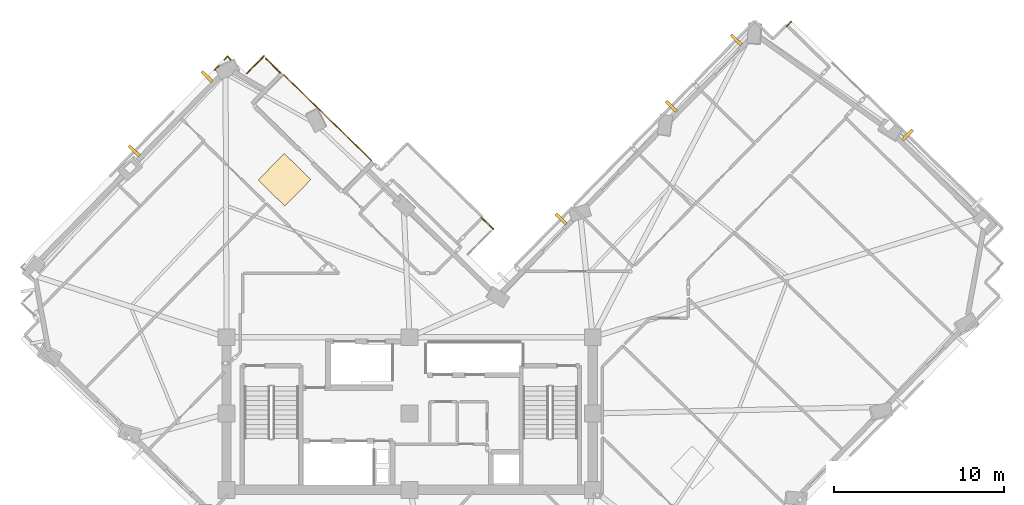
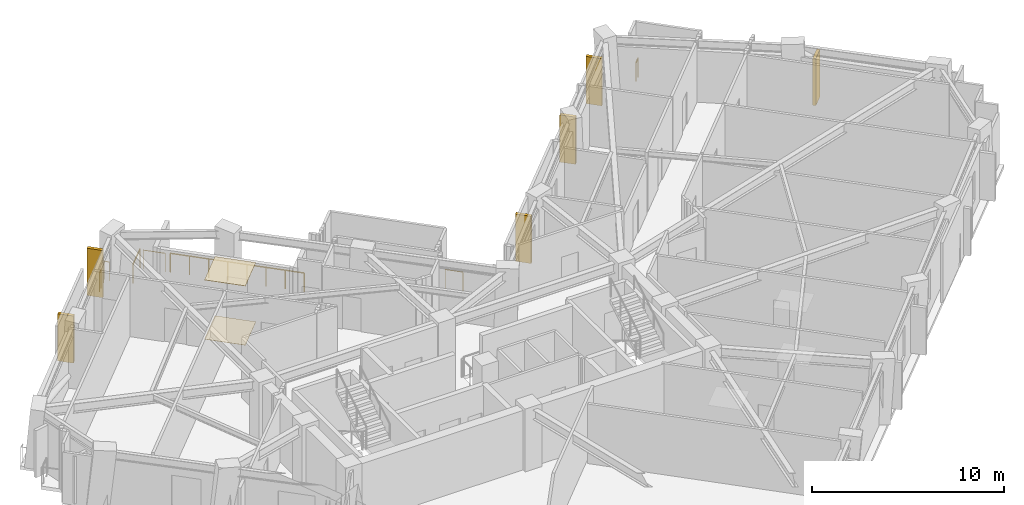
# One storey, part 11 of 12: 7 railings, 6 shading devices, 2 coverings.
"""IFC4 building model written with IfcOpenShell, lengths in metres."""

from ifc_helpers import new_model, si_unit, direction, frame, origin, origin_2d, place, context, subcontext, project, spatial, rectangle, circle, extrude, material, layer, layer_set, type_object, element, save


model = new_model("IFC4")

# Units and contexts
model_context = context("Model", 3, precision=1e-05, world=origin(), true_north=direction((0.0, 1.0)))
body_context = subcontext(model_context, "Body", "Model", "MODEL_VIEW")
ifc_project = project(units=[si_unit("LENGTHUNIT", "METRE"), si_unit("AREAUNIT", "SQUARE_METRE"), si_unit("VOLUMEUNIT", "CUBIC_METRE"), si_unit("PLANEANGLEUNIT", "RADIAN"), si_unit("MASSUNIT", "GRAM", prefix="KILO")], contexts=[model_context])

# Site, building, storey
site_placement = place(None, origin())
site = spatial("IfcSite", under=ifc_project, at=site_placement, CompositionType="ELEMENT")
building_placement = place(site_placement, origin())
building = spatial("IfcBuilding", under=site, at=building_placement, Name="Gaonmaruhae Medical Tower", CompositionType="ELEMENT")
storey_placement = place(building_placement, frame((0.0, 0.0, 219.199951171875)))
storey = spatial("IfcBuildingStorey", under=building, at=storey_placement, Name="L52", CompositionType="ELEMENT", Elevation=219.199951171875)

# Coverings
ifc_material_1 = material(Name="Acoustic mineral ceiling tile", Category="finish")
ifc_layer_1 = layer(ifc_material_1, 0.02490234375)
ifc_layer_set_1 = layer_set([ifc_layer_1], Name="Acoustic mineral ceiling tile")
covering_type_1 = type_object("IfcCoveringType", Name="CLG-01 Antimicrobial Acoustic Mineral Ceiling", PredefinedType="CEILING", material=ifc_layer_set_1)
covering_1_placement = place(storey_placement, frame((17.421630859375, 26.0869140625, 3.755126953125), z_axis=(0.0, 0.0, 1.0), x_axis=(0.699663340513, 0.714472679633, 0.0)))
element("IfcCovering", 1, at=covering_1_placement, inside=storey, type_object=covering_type_1, Name="L52 Clinical Corridor Acoustic Ceiling", PredefinedType="CEILING", context=body_context, shape_type="SweptSolid", body=[
    extrude(rectangle(XDim=2.199951171875, YDim=2.199951171875, at=origin_2d()), origin(), (0.0, 0.0, 1.0), 0.02490234375),
])
ifc_material_2 = material(Name="Seamless clinical vinyl flooring", Category="finish")
ifc_layer_2 = layer(ifc_material_2, 0.014892578125)
ifc_layer_set_2 = layer_set([ifc_layer_2], Name="Seamless clinical vinyl flooring")
covering_type_2 = type_object("IfcCoveringType", Name="FLR-01 Seamless Clinical Antistatic Vinyl Flooring", PredefinedType="FLOORING", material=ifc_layer_set_2)
covering_2_placement = place(storey_placement, frame((17.421630859375, 26.0869140625, 0.00048828125), z_axis=(0.0, 0.0, 1.0), x_axis=(0.699663340513, 0.714472679633, 0.0)))
element("IfcCovering", 2, at=covering_2_placement, inside=storey, type_object=covering_type_2, Name="L52 Clinical Corridor Vinyl Flooring", PredefinedType="FLOORING", context=body_context, shape_type="SweptSolid", body=[
    extrude(rectangle(XDim=2.199951171875, YDim=2.199951171875, at=origin_2d()), origin(), (0.0, 0.0, 1.0), 0.014892578125),
])

# Railings
ifc_material_3 = material(Name="Stainless steel 316L and laminated safety glass", Category="steel")
ifc_layer_3 = layer(ifc_material_3, 0.080078125)
ifc_layer_set_3 = layer_set([ifc_layer_3], Name="Stainless steel 316L and laminated safety glass")
railing_type = type_object("IfcRailingType", Name="GD-120 Outdoor Terrace Safety Glass & Steel Balustrade", PredefinedType="BALUSTRADE", material=ifc_layer_set_3)
railing_1_placement = place(storey_placement, frame((22.543212890625, 27.22998046875, 0.0)))
element("IfcRailing", 3, at=railing_1_placement, inside=storey, type_object=railing_type, Name="L52 Terrace Safety Guard RL-SLB-L52-TER-02", PredefinedType="BALUSTRADE", context=body_context, shape_type="SweptSolid", body=[
    extrude(circle(Radius=0.02392578125, at=origin_2d()), frame((0.0, 0.0, 1.17578125), z_axis=(-0.714476878249, 0.699659053002, 0.0), x_axis=(-0.699659053002, -0.714476878249, 0.0)), (0.0, 0.0, 1.0), 7.2001953125),
    extrude(circle(Radius=0.02099609375, at=origin_2d()), origin(), (0.0, 0.0, 1.0), 1.15185546875),
    extrude(circle(Radius=0.02099609375, at=origin_2d()), frame((-0.73486328125, 0.7197265625, 0.0)), (0.0, 0.0, 1.0), 1.15185546875),
    extrude(circle(Radius=0.02099609375, at=origin_2d()), frame((-1.4697265625, 1.439208984375, 0.0)), (0.0, 0.0, 1.0), 1.15185546875),
    extrude(circle(Radius=0.02099609375, at=origin_2d()), frame((-2.20458984375, 2.158935546875, 0.0)), (0.0, 0.0, 1.0), 1.15185546875),
    extrude(circle(Radius=0.02099609375, at=origin_2d()), frame((-2.939697265625, 2.878662109375, 0.0)), (0.0, 0.0, 1.0), 1.15185546875),
    extrude(circle(Radius=0.02099609375, at=origin_2d()), frame((-3.674560546875, 3.598388671875, 0.0)), (0.0, 0.0, 1.0), 1.15185546875),
    extrude(circle(Radius=0.02099609375, at=origin_2d()), frame((-4.409423828125, 4.31787109375, 0.0)), (0.0, 0.0, 1.0), 1.15185546875),
    extrude(circle(Radius=0.02099609375, at=origin_2d()), frame((-5.144287109375, 5.03759765625, 0.0)), (0.0, 0.0, 1.0), 1.15185546875),
])
railing_2_placement = place(storey_placement, frame((47.038330078125, 35.135498046875, 0.0)))
element("IfcRailing", 4, at=railing_2_placement, inside=storey, type_object=railing_type, Name="L52 Perimeter Slab Edge Safety Balustrade 01", PredefinedType="BALUSTRADE", context=body_context, shape_type="SweptSolid", body=[
    extrude(circle(Radius=0.02392578125, at=origin_2d()), frame((0.0, 0.0, 1.17578125), z_axis=(0.699618190007, 0.71451689148, 0.0), x_axis=(-0.71451689148, 0.699618190007, 0.0)), (0.0, 0.0, 1.0), 0.393310546875),
    extrude(circle(Radius=0.02099609375, at=origin_2d()), origin(), (0.0, 0.0, 1.0), 1.15185546875),
    extrude(circle(Radius=0.02099609375, at=origin_2d()), frame((0.275146484375, 0.281005859375, 0.0)), (0.0, 0.0, 1.0), 1.15185546875),
])
railing_3_placement = place(storey_placement, frame((13.3076171875, 32.56298828125, 0.0)))
element("IfcRailing", 5, at=railing_3_placement, inside=storey, type_object=railing_type, Name="L52 Perimeter Slab Edge Safety Balustrade 12", PredefinedType="BALUSTRADE", context=body_context, shape_type="SweptSolid", body=[
    extrude(circle(Radius=0.02392578125, at=origin_2d()), frame((0.0, 0.0, 1.17578125), z_axis=(0.699494393048, 0.714638086093, 0.0), x_axis=(-0.714638086093, 0.699494393048, 0.0)), (0.0, 0.0, 1.0), 0.338623046875),
    extrude(circle(Radius=0.02099609375, at=origin_2d()), origin(), (0.0, 0.0, 1.0), 1.15185546875),
    extrude(circle(Radius=0.02099609375, at=origin_2d()), frame((0.23681640625, 0.241943359375, 0.0)), (0.0, 0.0, 1.0), 1.15185546875),
])
railing_4_placement = place(storey_placement, frame((15.19873046875, 32.3505859375, 0.0)))
element("IfcRailing", 6, at=railing_4_placement, inside=storey, type_object=railing_type, Name="L52 Perimeter Slab Edge Safety Balustrade 13", PredefinedType="BALUSTRADE", context=body_context, shape_type="SweptSolid", body=[
    extrude(circle(Radius=0.02392578125, at=origin_2d()), frame((0.0, 0.0, 1.17578125), z_axis=(0.699710165156, 0.714426822549, 0.0), x_axis=(-0.714426822549, 0.699710165156, 0.0)), (0.0, 0.0, 1.0), 1.4599609375),
    extrude(circle(Radius=0.02099609375, at=origin_2d()), origin(), (0.0, 0.0, 1.0), 1.15185546875),
    extrude(circle(Radius=0.02099609375, at=origin_2d()), frame((1.021484375, 1.04296875, 0.0)), (0.0, 0.0, 1.0), 1.15185546875),
])
railing_5_placement = place(storey_placement, frame((16.321044921875, 33.22509765625, 0.0)))
element("IfcRailing", 7, at=railing_5_placement, inside=storey, type_object=railing_type, Name="L52 Perimeter Slab Edge Safety Balustrade 14", PredefinedType="BALUSTRADE", context=body_context, shape_type="SweptSolid", body=[
    extrude(circle(Radius=0.02392578125, at=origin_2d()), frame((0.0, 0.0, 1.17578125), z_axis=(0.714514735231, -0.699620392169, 0.0), x_axis=(0.699620392169, 0.714514735231, 0.0)), (0.0, 0.0, 1.0), 1.18017578125),
    extrude(circle(Radius=0.02099609375, at=origin_2d()), origin(), (0.0, 0.0, 1.0), 1.15185546875),
    extrude(circle(Radius=0.02099609375, at=origin_2d()), frame((0.84326171875, -0.82568359375, 0.0)), (0.0, 0.0, 1.0), 1.15185546875),
])
railing_6_placement = place(storey_placement, frame((29.048828125, 23.840087890625, 0.0)))
element("IfcRailing", 8, at=railing_6_placement, inside=storey, type_object=railing_type, Name="L52 Perimeter Slab Edge Safety Balustrade 15", PredefinedType="BALUSTRADE", context=body_context, shape_type="SweptSolid", body=[
    extrude(circle(Radius=0.02392578125, at=origin_2d()), frame((0.0, 0.0, 1.17578125), z_axis=(0.714568687019, -0.699565287541, 0.0), x_axis=(0.699565287541, 0.714568687019, 0.0)), (0.0, 0.0, 1.0), 0.9599609375),
    extrude(circle(Radius=0.02099609375, at=origin_2d()), origin(), (0.0, 0.0, 1.0), 1.15185546875),
    extrude(circle(Radius=0.02099609375, at=origin_2d()), frame((0.68603515625, -0.671630859375, 0.0)), (0.0, 0.0, 1.0), 1.15185546875),
])
railing_7_placement = place(storey_placement, frame((13.88916015625, 33.156982421875, 0.0)))
element("IfcRailing", 9, at=railing_7_placement, inside=storey, type_object=railing_type, Name="L52 Perimeter Corner Safety Balustrade 20", PredefinedType="BALUSTRADE", context=body_context, shape_type="SweptSolid", body=[
    extrude(circle(Radius=0.02392578125, at=origin_2d()), frame((0.0, 0.0, 1.17578125), z_axis=(0.607450107571, 0.794357832977, 0.0), x_axis=(-0.794357832977, 0.607450107571, 0.0)), (0.0, 0.0, 1.0), 0.287353515625),
    extrude(circle(Radius=0.02392578125, at=origin_2d()), frame((0.174560546875, 0.228271484375, 1.17578125), z_axis=(0.624072725889, -0.781366260343, 0.0), x_axis=(0.781366260343, 0.624072725889, 0.0)), (0.0, 0.0, 1.0), 0.287109375),
    extrude(circle(Radius=0.02099609375, at=origin_2d()), origin(), (0.0, 0.0, 1.0), 1.15185546875),
    extrude(circle(Radius=0.02099609375, at=origin_2d()), frame((0.174560546875, 0.228271484375, 0.0)), (0.0, 0.0, 1.0), 1.15185546875),
    extrude(circle(Radius=0.02099609375, at=origin_2d()), frame((0.353759765625, 0.00390625, 0.0)), (0.0, 0.0, 1.0), 1.15185546875),
])

# Shading devices
ifc_material_4 = material(Name="Pigmented coral precast concrete C45/55", Category="concrete")
shading_device_type = type_object("IfcShadingDeviceType", Name="SD-FIN1 Tower Vertical Coral Precast Shading Fin", PredefinedType="USERDEFINED", material=ifc_material_4)
for number, where, z_axis, x_axis, name in (
    (10, (54.16748046875, 28.7255859375, 0.132568359375), (0.0, 0.0, 1.0), (0.714472679633, -0.699663340513, 0.0), "L52 Vertical Coral Precast Shading Fin E01"),
    (11, (40.2294921875, 30.419189453125, 0.08251953125), (0.0, 0.0, 1.0), (0.699663340513, 0.714472679633, 0.0), "L52 Vertical Coral Precast Shading Fin E03"),
    (12, (44.0634765625, 34.33447265625, 0.08251953125), (0.0, 0.0, 1.0), (0.699663340513, 0.714472679633, 0.0), "L52 Vertical Coral Precast Shading Fin E03B"),
    (13, (33.72998046875, 23.781982421875, 0.08251953125), (0.0, 0.0, 1.0), (0.699675810307, 0.714460468095, 0.0), "L52 Vertical Coral Precast Shading Fin EN02B"),
    (14, (8.548583984375, 27.79638671875, 0.132568359375), (0.0, 0.0, 1.0), (0.699663340513, 0.714472679633, 0.0), "L52 Vertical Coral Precast Shading Fin N01"),
    (15, (12.840576171875, 32.17919921875, 0.132568359375), (0.0, 0.0, 1.0), (0.699663340513, 0.714472679633, 0.0), "L52 Vertical Coral Precast Shading Fin N01B"),
):
    element("IfcShadingDevice", number, at=place(storey_placement, frame(where, z_axis=z_axis, x_axis=x_axis)), inside=storey, type_object=shading_device_type, Name=name, ObjectType="FIN", PredefinedType="USERDEFINED", context=body_context, shape_type="SweptSolid", body=[
        extrude(rectangle(XDim=0.179931640625, YDim=0.85009765625, at=origin_2d()), origin(), (0.0, 0.0, 1.0), 3.0),
    ])

save(model, "model.ifc")
